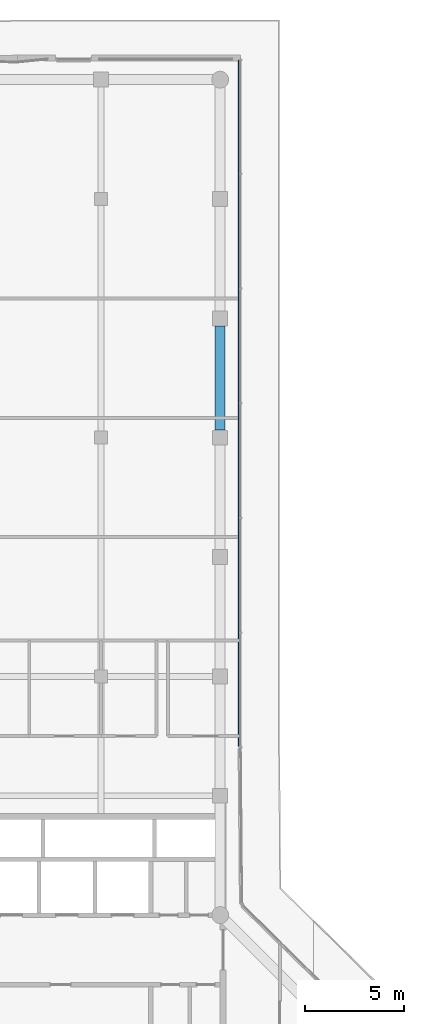
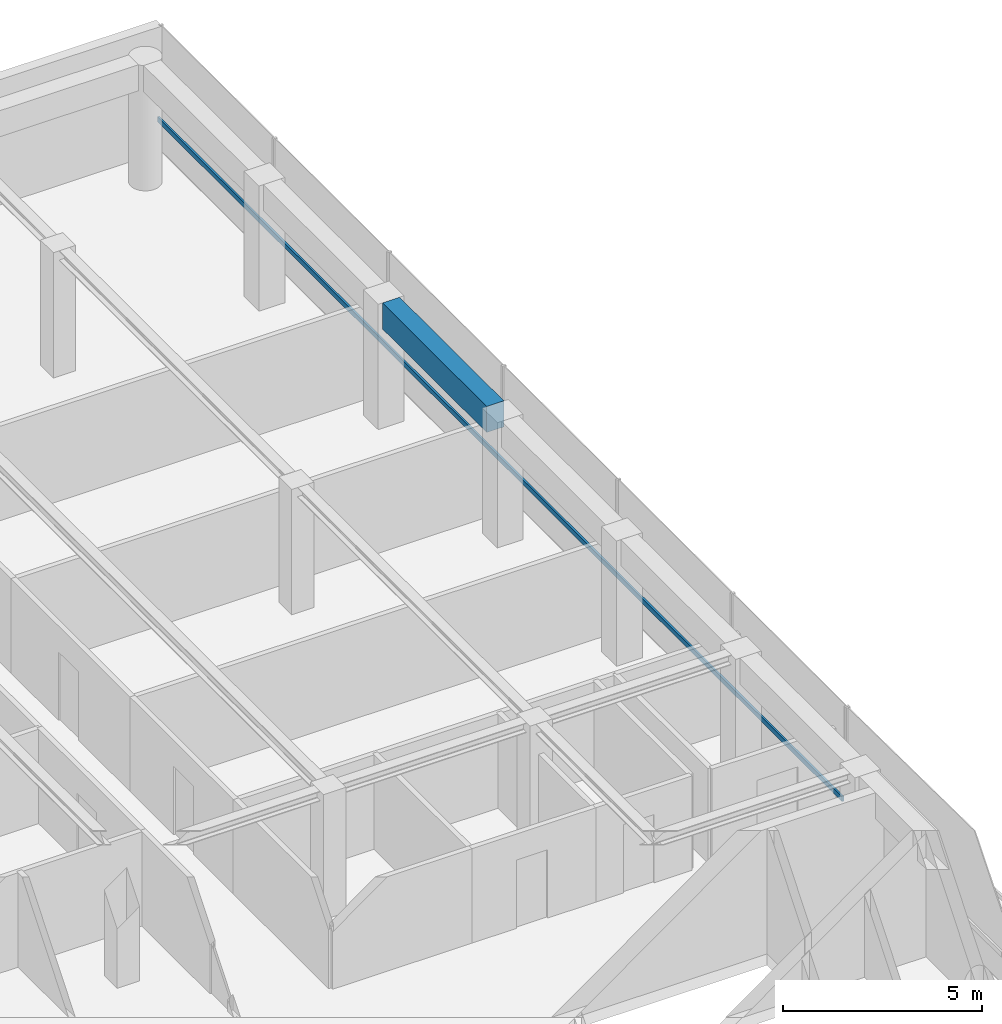
# One storey, part 11 of 18: 1 beam, 1 member, 1 element without a shape of its own.
"""IFC4 building model written with IfcOpenShell, lengths in metres."""

from ifc_helpers import new_model, si_unit, direction, frame, origin, origin_2d, place, context, subcontext, project, spatial, rectangle, extrude, material, layer, layer_set, material_profile, profile_set, type_object, element, aggregate, save


model = new_model("IFC4")

# Units and contexts
model_context = context("Model", 3, precision=1e-05, world=origin(), true_north=direction((0.0, 1.0)))
body_context = subcontext(model_context, "Body", "Model", "MODEL_VIEW")
ifc_project = project(units=[si_unit("LENGTHUNIT", "METRE"), si_unit("AREAUNIT", "SQUARE_METRE"), si_unit("VOLUMEUNIT", "CUBIC_METRE"), si_unit("PLANEANGLEUNIT", "RADIAN"), si_unit("MASSUNIT", "GRAM", prefix="KILO")], contexts=[model_context])

# Site, building, storey
site_placement = place(None, origin())
site = spatial("IfcSite", under=ifc_project, at=site_placement, CompositionType="ELEMENT")
building_placement = place(site_placement, origin())
building = spatial("IfcBuilding", under=site, at=building_placement, Name="Welwitschia Terrace Campus", CompositionType="ELEMENT")
storey_placement = place(building_placement, frame((0.0, 0.0, 289.39990234375)))
storey = spatial("IfcBuildingStorey", under=building, at=storey_placement, Name="L64", CompositionType="ELEMENT", Elevation=289.39990234375)

# Beam
ifc_material_1 = material(Name="Concrete C50/60", Category="concrete")
ifc_material_profile_1 = material_profile(ifc_material_1, rectangle(XDim=0.5, YDim=0.800048828125, at=origin_2d()))
ifc_profile_set_1 = profile_set([ifc_material_profile_1], Name="Concrete C50/60")
beam_type = type_object("IfcBeamType", Name="Ring spandrel 500x800", PredefinedType="SPANDREL", material=ifc_profile_set_1)
beam_placement = place(storey_placement, frame((24.0, 44.37548828125, 3.4501953125), z_axis=(0.0, 1.0, 0.0), x_axis=(-1.0, 0.0, 0.0)))
element("IfcBeam", 1, at=beam_placement, inside=storey, type_object=beam_type, Name="Spandrel SP4", PredefinedType="SPANDREL", context=body_context, shape_type="SweptSolid", body=[
    extrude(rectangle(XDim=0.5, YDim=0.800048828125, at=origin_2d()), origin(), (0.0, 0.0, 1.0), 5.2490234375),
])

# Curtain wall, member
ifc_material_2 = material(Name="Bronze anodised aluminium", Category="aluminium")
ifc_layer = layer(ifc_material_2, 0.1201171875)
ifc_layer_set = layer_set([ifc_layer], Name="Bronze anodised aluminium")
curtain_wall_type = type_object("IfcCurtainWallType", Name="Curtain wall CW2 tower 6000", PredefinedType="NOTDEFINED", material=ifc_layer_set)
curtain_wall_placement = place(storey_placement, origin())
curtain_wall = element("IfcCurtainWall", 2, at=curtain_wall_placement, inside=storey, type_object=curtain_wall_type, Name="CW L64.9.0", PredefinedType="NOTDEFINED")
ifc_material_3 = material(Name="Bronze anodised aluminium", Category="aluminium")
ifc_material_profile_2 = material_profile(ifc_material_3, rectangle(XDim=0.06005859375, YDim=0.14990234375, at=origin_2d()))
ifc_profile_set_2 = profile_set([ifc_material_profile_2], Name="Bronze anodised aluminium")
member_type = type_object("IfcMemberType", Name="Transom 60x150", PredefinedType="USERDEFINED", material=ifc_profile_set_2)
member_placement = place(storey_placement, frame((24.93994140625, 28.496337890625, 1.0), z_axis=(0.0, 1.0, 0.0), x_axis=(-1.0, 0.0, 0.0)))
member = element("IfcMember", 3, at=member_placement, type_object=member_type, Name="Transom L64.9.0", ObjectType="TRANSOM", PredefinedType="USERDEFINED", context=body_context, shape_type="SweptSolid", body=[
    extrude(rectangle(XDim=0.06005859375, YDim=0.14990234375, at=origin_2d()), origin(), (0.0, 0.0, 1.0), 34.4736328125),
])
aggregate(curtain_wall, [member])

save(model, "model.ifc")
